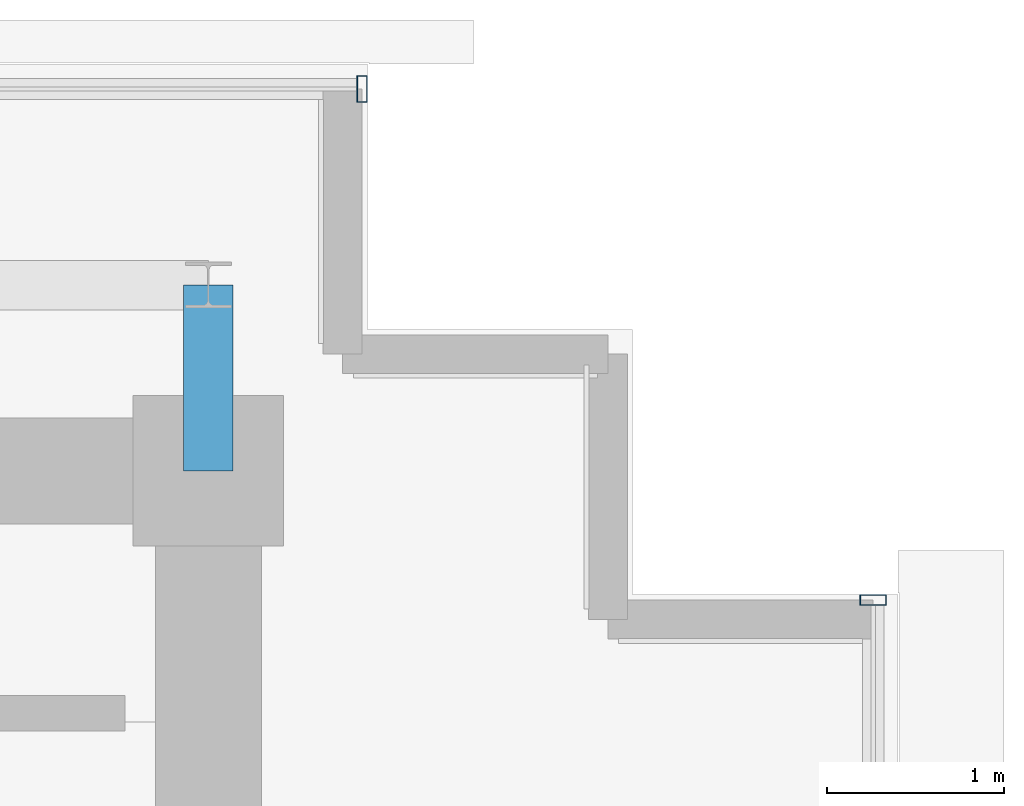
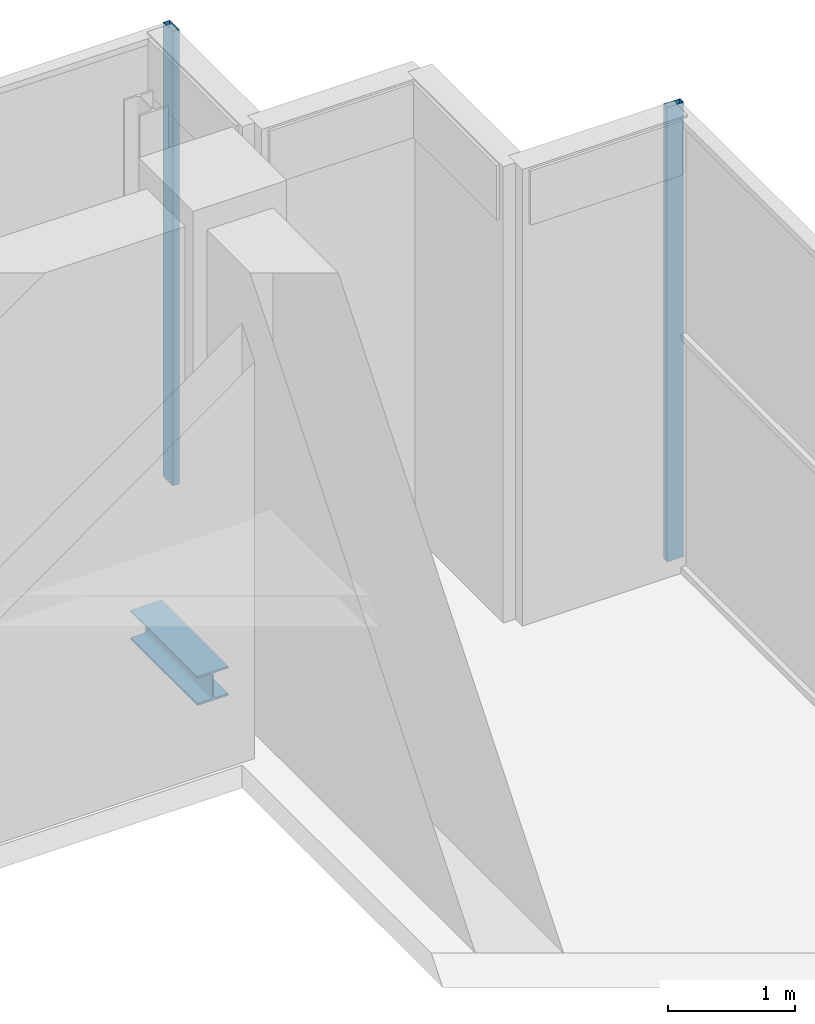
# One storey, part 23 of 28: 2 members, 1 beam, 2 elements without a shape of their own.
"""IFC4 building model written with IfcOpenShell, lengths in metres."""

from ifc_helpers import new_model, si_unit, direction, frame, origin, origin_2d, place, context, subcontext, project, spatial, hollow_rectangle, i_section, extrude, source, transform, mapped, material, layer, layer_set, material_profile, profile_set, type_object, element, aggregate, save


model = new_model("IFC4")

# Units and contexts
model_context = context("Model", 3, precision=1e-05, world=origin(), true_north=direction((0.0, 1.0)))
body_context = subcontext(model_context, "Body", "Model", "MODEL_VIEW")
ifc_project = project(units=[si_unit("LENGTHUNIT", "METRE"), si_unit("AREAUNIT", "SQUARE_METRE"), si_unit("VOLUMEUNIT", "CUBIC_METRE"), si_unit("PLANEANGLEUNIT", "RADIAN"), si_unit("MASSUNIT", "GRAM", prefix="KILO")], contexts=[model_context])

# Site, building, storey
site_placement = place(None, origin())
site = spatial("IfcSite", under=ifc_project, at=site_placement, CompositionType="ELEMENT")
building_placement = place(site_placement, origin())
building = spatial("IfcBuilding", under=site, at=building_placement, Name="Zarnakvel Exchange Tower", CompositionType="ELEMENT")
storey_placement = place(building_placement, frame((0.0, 0.0, 290.0)))
storey = spatial("IfcBuildingStorey", under=building, at=storey_placement, Name="Crown L81", CompositionType="ELEMENT", Elevation=290.0)

# Beam
ifc_material_1 = material(Name="Steel S355", Category="steel")
ifc_material_profile_1 = material_profile(ifc_material_1, i_section(OverallWidth=0.280029296875, OverallDepth=0.280029296875, WebThickness=0.010498046875, FlangeThickness=0.01806640625, FilletRadius=0.02392578125, at=origin_2d()))
ifc_profile_set_1 = profile_set([ifc_material_profile_1], Name="Steel S355")
beam_type = type_object("IfcBeamType", Name="SP-04", PredefinedType="SPANDREL", material=ifc_profile_set_1)
beam_placement = place(storey_placement, frame((14.39990234375, 13.5, -0.360107421875), z_axis=(0.0, 1.0, 0.0), x_axis=(-1.0, 0.0, 0.0)))
element("IfcBeam", 1, at=beam_placement, inside=storey, type_object=beam_type, Name="Crown L81 Tower N-S Frame Beam", PredefinedType="SPANDREL", context=body_context, shape_type="SweptSolid", body=[
    extrude(i_section(OverallWidth=0.280029296875, OverallDepth=0.280029296875, WebThickness=0.010498046875, FlangeThickness=0.01806640625, FilletRadius=0.02392578125, at=origin_2d()), origin(), (0.0, 0.0, 1.0), 1.050048828125),
])

# Curtain wall, member
ifc_material_2 = material(Name="Architectural Bronze Anodised Aluminium", Category="aluminium")
ifc_layer = layer(ifc_material_2, 0.14990234375)
ifc_layer_set = layer_set([ifc_layer], Name="Architectural Bronze Anodised Aluminium")
curtain_wall_type = type_object("IfcCurtainWallType", Name="CW-07", PredefinedType="NOTDEFINED", material=ifc_layer_set)
curtain_wall_1_placement = place(storey_placement, origin())
curtain_wall_1 = element("IfcCurtainWall", 2, at=curtain_wall_1_placement, inside=storey, type_object=curtain_wall_type, Name="Crown L81 Curtain Wall CW-Crown L81-N (CW-07)", PredefinedType="NOTDEFINED")
ifc_material_profile_2 = material_profile(ifc_material_2, hollow_rectangle(XDim=0.14990234375, YDim=0.06005859375, WallThickness=0.00390625, at=origin_2d()))
ifc_profile_set_2 = profile_set([ifc_material_profile_2], Name="Architectural Bronze Anodised Aluminium")
member_type = type_object("IfcMemberType", Name="CWM-07", PredefinedType="MULLION", material=ifc_profile_set_2)
shared_shape = source(origin(), body_context, "Body", "SweptSolid", [
    extrude(hollow_rectangle(XDim=0.14990234375, YDim=0.06005859375, WallThickness=0.00390625, at=origin_2d()), origin(), (0.0, 0.0, 1.0), 4.360107421875),
])
member_1_placement = place(storey_placement, frame((15.27001953125, 15.659912109375, 0.0), z_axis=(0.0, 0.0, 1.0), x_axis=(0.0, 1.0, 0.0)))
member_1 = element("IfcMember", 3, at=member_1_placement, type_object=member_type, Name="CW-07 mullion 7", PredefinedType="MULLION", context=body_context, shape_type="MappedRepresentation", body=[
    mapped(shared_shape, transform((0.0, 0.0, 0.0), x_axis=(1.0, 0.0, 0.0), y_axis=(0.0, 1.0, 0.0), z_axis=(0.0, 0.0, 1.0), scale=1.0)),
])
aggregate(curtain_wall_1, [member_1])

curtain_wall_2_placement = place(storey_placement, origin())
curtain_wall_2 = element("IfcCurtainWall", 4, at=curtain_wall_2_placement, inside=storey, type_object=curtain_wall_type, Name="Crown L81 Curtain Wall CW-Crown L81-E (CW-07)", PredefinedType="NOTDEFINED")
member_2_placement = place(storey_placement, frame((18.159912109375, 12.77001953125, 0.0), z_axis=(0.0, 0.0, 1.0), x_axis=(-1.0, 0.0, 0.0)))
member_2 = element("IfcMember", 5, at=member_2_placement, type_object=member_type, Name="CW-07 mullion 5", PredefinedType="MULLION", context=body_context, shape_type="MappedRepresentation", body=[
    mapped(shared_shape, transform((0.0, 0.0, 0.0), x_axis=(1.0, 0.0, 0.0), y_axis=(0.0, 1.0, 0.0), z_axis=(0.0, 0.0, 1.0), scale=1.0)),
])
aggregate(curtain_wall_2, [member_2])

save(model, "model.ifc")
